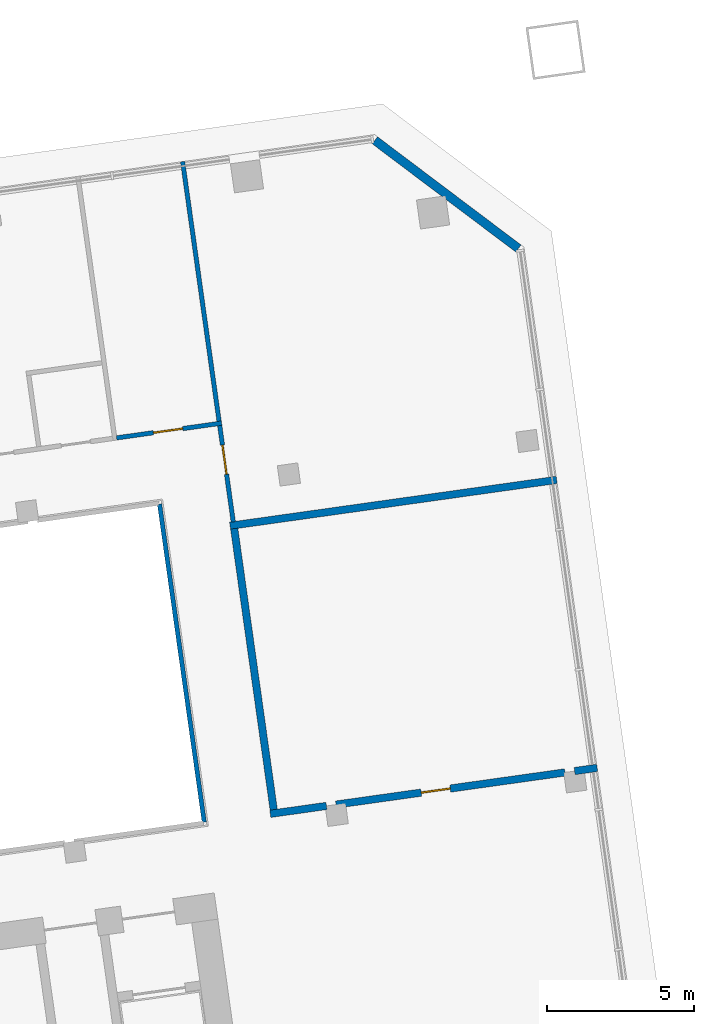
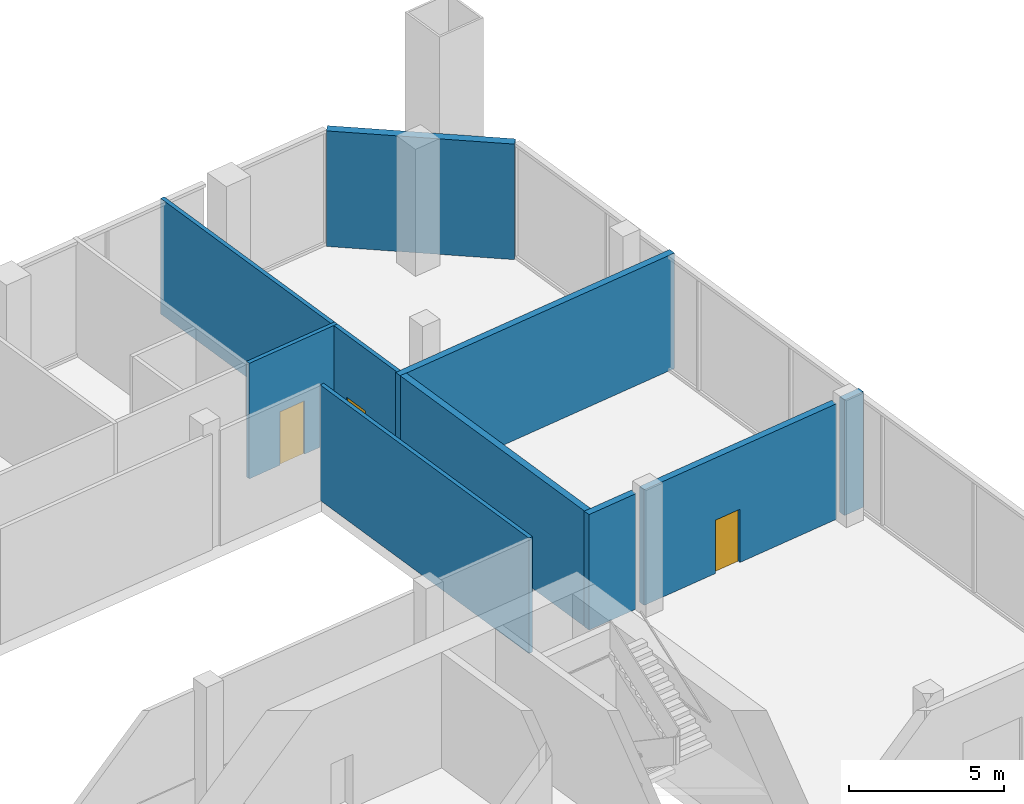
# One storey, part 18 of 21: 10 walls, 3 doors, 3 openings.
"""IFC4 building model written with IfcOpenShell, lengths in metres."""

import ifcopenshell
import ifcopenshell.guid

model = None  # the IFC model being written
_history = None  # IfcOwnerHistory: only IFC2X3 demands one
_inside = {}  # id of a spatial element -> (the spatial element, [elements in it])
_under = {}  # id of a project, library or spatial element -> (it, [spatial elements below it])
_declared = {}  # id of a project -> (the project, [libraries it declares])
_typed = {}  # id of a type object -> (the type object, [elements of that type])
_made_of = {}  # id of a material, layer set ... -> (it, [elements and type objects made of it])


def new_model(schema):
    """Start an empty IFC model of exactly this schema.

    Asked for "IFC4X3", IfcOpenShell would pick the latest addendum, in which some entities
    have other attributes; the version numbers below select the first issue.
    IFC2X3 requires an IfcOwnerHistory on every rooted entity: one is made here for all.
    """
    global model, _history
    if schema == "IFC4X3":
        model = ifcopenshell.file(schema_version=(4, 3, 0, 0))
    else:
        model = ifcopenshell.file(schema=schema)
    _inside.clear()
    _under.clear()
    _declared.clear()
    _typed.clear()
    _made_of.clear()
    _history = None
    if model.schema == "IFC2X3":
        org = make("IfcOrganization", Name="unknown")
        user = make(
            "IfcPersonAndOrganization",
            ThePerson=make("IfcPerson", FamilyName="unknown"),
            TheOrganization=org,
        )
        app = make(
            "IfcApplication",
            ApplicationDeveloper=org,
            Version="unknown",
            ApplicationFullName="unknown",
            ApplicationIdentifier="unknown",
        )
        _history = make(
            "IfcOwnerHistory",
            OwningUser=user,
            OwningApplication=app,
            ChangeAction="ADDED",
            CreationDate=0,
        )
    return model


def make(cls, **values):
    """One entity of the class cls with the attributes given. An attribute that is None is left unset."""
    return model.create_entity(
        cls, **{name: value for name, value in values.items() if value is not None}
    )


def rooted(cls, **values):
    """An entity with a GlobalId (a new one), such as an element, a storey or a relation."""
    return make(cls, GlobalId=ifcopenshell.guid.new(), OwnerHistory=_history, **values)


def si_unit(unit_type, name, prefix=None):
    """IfcSIUnit, for example si_unit("LENGTHUNIT", "METRE", prefix="MILLI")."""
    return make("IfcSIUnit", UnitType=unit_type, Prefix=prefix, Name=name)


def assignment(units):
    """IfcUnitAssignment: the units of a project."""
    return None if units is None else make("IfcUnitAssignment", Units=units)


def point(xyz):
    """IfcCartesianPoint."""
    return None if xyz is None else make("IfcCartesianPoint", Coordinates=xyz)


def direction(xyz):
    """IfcDirection."""
    return None if xyz is None else make("IfcDirection", DirectionRatios=xyz)


def frame(location, z_axis=None, x_axis=None):
    """IfcAxis2Placement3D, a coordinate frame: its origin and axes. An axis left out is left unset."""
    return make(
        "IfcAxis2Placement3D",
        Location=point(location),
        Axis=direction(z_axis),
        RefDirection=direction(x_axis),
    )


def frame_2d(location, x_axis=None):
    """IfcAxis2Placement2D, a coordinate frame in the plane: its origin and x axis."""
    return make(
        "IfcAxis2Placement2D", Location=point(location), RefDirection=direction(x_axis)
    )


def origin():
    """The frame at (0, 0, 0) with its axes left unset."""
    return frame((0.0, 0.0, 0.0))


def place(relative_to, where):
    """IfcLocalPlacement: puts the frame where relative to a parent placement (None: the world)."""
    return make(
        "IfcLocalPlacement", PlacementRelTo=relative_to, RelativePlacement=where
    )


def context(
    kind, dimensions, precision=None, world=None, true_north=None, identifier=None
):
    """IfcGeometricRepresentationContext, for example the 3D "Model" context."""
    return make(
        "IfcGeometricRepresentationContext",
        ContextIdentifier=identifier,
        ContextType=kind,
        CoordinateSpaceDimension=dimensions,
        Precision=precision,
        WorldCoordinateSystem=world,
        TrueNorth=true_north,
    )


def subcontext(parent, identifier, kind, view, scale=None):
    """IfcGeometricRepresentationSubContext, for example "Body" below "Model"."""
    return make(
        "IfcGeometricRepresentationSubContext",
        ContextIdentifier=identifier,
        ContextType=kind,
        ParentContext=parent,
        TargetScale=scale,
        TargetView=view,
    )


def project(units=None, contexts=None):
    """IfcProject with its units and contexts."""
    return rooted(
        "IfcProject",
        Name="project",
        RepresentationContexts=contexts,
        UnitsInContext=assignment(units),
    )


def spatial(cls, under=None, at=None, **own):
    """A site, building, storey or space (cls), placed at a placement, below another one or the project."""
    s = rooted(cls, ObjectPlacement=at, **own)
    if under is not None:
        _under.setdefault(under.id(), (under, []))[1].append(s)
    return s


def profile(cls, at=None, kind="AREA", **sizes):
    """A parametric profile (cls). Its sizes go by their IFC names, for example OverallWidth=200.0."""
    return make(cls, ProfileType=kind, Position=at, **sizes)


def rectangle(**sizes):
    """IfcRectangleProfileDef."""
    return profile("IfcRectangleProfileDef", **sizes)


def extrude(swept, where, along, depth):
    """IfcExtrudedAreaSolid: the profile swept, set in the frame where, extruded along a direction by depth."""
    return make(
        "IfcExtrudedAreaSolid",
        SweptArea=swept,
        Position=where,
        ExtrudedDirection=direction(along),
        Depth=depth,
    )


def shape(context_of_items, identifier, shape_type, items):
    """IfcShapeRepresentation: the items that make up one representation, for example the "Body"."""
    return make(
        "IfcShapeRepresentation",
        ContextOfItems=context_of_items,
        RepresentationIdentifier=identifier,
        RepresentationType=shape_type,
        Items=items,
    )


def material(Name=None, Category=None):
    """IfcMaterial."""
    return make("IfcMaterial", Name=Name, Category=Category)


def layer(
    of_material, thickness, ventilated=None, Name=None, Category=None, Priority=None
):
    """IfcMaterialLayer: one layer of a wall or slab, of a material (None: an air gap)."""
    return make(
        "IfcMaterialLayer",
        Material=of_material,
        LayerThickness=thickness,
        IsVentilated=ventilated,
        Name=Name,
        Category=Category,
        Priority=Priority,
    )


def layer_set(layers, Name=None):
    """IfcMaterialLayerSet."""
    return make("IfcMaterialLayerSet", MaterialLayers=layers, LayerSetName=Name)


def made_of(thing, what):
    """Note that an element or type object is made of a material, layer set ...; save() writes the relation."""
    if what is not None:
        _made_of.setdefault(what.id(), (what, []))[1].append(thing)
    return thing


def type_object(cls, material=None, **own):
    """A type object (cls), such as IfcWallType, which elements share."""
    return made_of(rooted(cls, **own), material)


def element(
    cls,
    number,
    at=None,
    inside=None,
    cuts=None,
    type_object=None,
    material=None,
    context=None,
    identifier="Body",
    shape_type=None,
    held_by="IfcProductDefinitionShape",
    body=None,
    shapes=None,
    **own,
):
    """One element of the class cls, such as IfcWall. Its Tag is "e" and its number.

    at: its placement. inside: the storey or other place that contains it. cuts: it is an
    opening in that element (IfcRelVoidsElement). A single representation is given by context,
    identifier, shape_type and body (its items); several are given by shapes. held_by: the class
    of the entity that holds the representations. save() writes the other relations.
    """
    e = rooted(cls, Tag="e%d" % number, ObjectPlacement=at, **own)
    if body is not None:
        shapes = [shape(context, identifier, shape_type, body)]
    if shapes is not None:
        e.Representation = make(held_by, Representations=shapes)
    if inside is not None:
        _inside.setdefault(inside.id(), (inside, []))[1].append(e)
    if cuts is not None:
        rooted(
            "IfcRelVoidsElement", RelatingBuildingElement=cuts, RelatedOpeningElement=e
        )
    if type_object is not None:
        _typed.setdefault(type_object.id(), (type_object, []))[1].append(e)
    return made_of(e, material)


def fill(opening, filler):
    """IfcRelFillsElement: the door or window that sits in an opening."""
    return rooted(
        "IfcRelFillsElement",
        RelatingOpeningElement=opening,
        RelatedBuildingElement=filler,
    )


def aggregate(whole, parts):
    """IfcRelAggregates: a whole, such as a stair, and the parts it consists of."""
    return rooted("IfcRelAggregates", RelatingObject=whole, RelatedObjects=parts)


def save(model, path):
    """Write the relations noted so far, then the file.

    IfcRelAggregates (storeys below a building ...), IfcRelContainedInSpatialStructure (elements
    in a storey), IfcRelDefinesByType, IfcRelAssociatesMaterial and IfcRelDeclares: one each for
    every whole, place, type object, material and project.
    """
    for whole, parts in _under.values():
        aggregate(whole, parts)
    for where, things in _inside.values():
        rooted(
            "IfcRelContainedInSpatialStructure",
            RelatedElements=things,
            RelatingStructure=where,
        )
    for kind, things in _typed.values():
        rooted("IfcRelDefinesByType", RelatedObjects=things, RelatingType=kind)
    for what, things in _made_of.values():
        rooted("IfcRelAssociatesMaterial", RelatedObjects=things, RelatingMaterial=what)
    for by, libraries in _declared.values():
        rooted("IfcRelDeclares", RelatingContext=by, RelatedDefinitions=libraries)
    model.write(path)


model = new_model("IFC4")

# Units and contexts
model_context = context("Model", 3, precision=1e-05, world=origin(), true_north=direction((0.0, 1.0)))
body_context = subcontext(model_context, "Body", "Model", "MODEL_VIEW")
ifc_project = project(units=[si_unit("LENGTHUNIT", "METRE"), si_unit("AREAUNIT", "SQUARE_METRE"), si_unit("VOLUMEUNIT", "CUBIC_METRE"), si_unit("PLANEANGLEUNIT", "RADIAN"), si_unit("MASSUNIT", "GRAM", prefix="KILO")], contexts=[model_context])

# Site, building, storey
site_placement = place(None, origin())
site = spatial("IfcSite", under=ifc_project, at=site_placement, CompositionType="ELEMENT")
building_placement = place(site_placement, origin())
building = spatial("IfcBuilding", under=site, at=building_placement, Name="Mirante Cascada Hotel Towers", CompositionType="ELEMENT")
storey_placement = place(building_placement, frame((0.0, 0.0, 34.5)))
storey = spatial("IfcBuildingStorey", under=building, at=storey_placement, Name="L05", CompositionType="ELEMENT", Elevation=34.5)

# Wall
ifc_material_1 = material(Name="Masonry block", Category="masonry")
ifc_layer_1 = layer(ifc_material_1, 0.15)
ifc_layer_set_1 = layer_set([ifc_layer_1], Name="Corridor wall 150 block")
wall_type_1 = type_object("IfcWallType", Name="Corridor wall 150 block", PredefinedType="PARTITIONING", material=ifc_layer_set_1)
wall_1_placement = place(storey_placement, frame((86.8771, 13.638, 0.0), z_axis=(0.0, 0.0, 1.0), x_axis=(0.1391764, -0.9902676, 0.0)))
element("IfcWall", 1, at=wall_1_placement, inside=storey, type_object=wall_type_1, Name="Corridor wall T2 L05", PredefinedType="PARTITIONING", context=body_context, shape_type="SweptSolid", body=[
    extrude(rectangle(XDim=10.9401, YDim=0.15, at=frame_2d((5.47, 0.0))), origin(), (0.0, 0.0, 1.0), 4.55),
])

# Wall, opening, door
wall_2_placement = place(storey_placement, frame((88.926, 16.3041, 0.0), z_axis=(0.0, 0.0, 1.0), x_axis=(0.1391835, -0.9902666, 0.0)))
wall_2 = element("IfcWall", 2, at=wall_2_placement, inside=storey, type_object=wall_type_1, Name="Corridor wall T2 L05", PredefinedType="PARTITIONING", context=body_context, shape_type="SweptSolid", body=[
    extrude(rectangle(XDim=3.31, YDim=0.15, at=frame_2d((1.655, 0.0))), origin(), (0.0, 0.0, 1.0), 4.55),
])
opening_1_placement = place(wall_2_placement, frame((0.6675, 0.0, 0.0)))
opening_1 = element("IfcOpeningElement", 3, at=opening_1_placement, cuts=wall_2, Name="Opening DP2-L05-04", PredefinedType="OPENING", context=body_context, shape_type="SweptSolid", body=[
    extrude(rectangle(XDim=1.0, YDim=2.1, at=frame_2d((0.5, 1.05))), frame((0.0, 0.075, 0.0), z_axis=(0.0, -1.0, 0.0), x_axis=(1.0, 0.0, 0.0)), (0.0, 0.0, 1.0), 0.15),
])
ifc_material_2 = material(Name="Timber door leaf", Category="wood")
door_type_1 = type_object("IfcDoorType", Name="Single door 1000x2100", OperationType="NOTDEFINED", PredefinedType="DOOR", material=ifc_material_2)
door_1_placement = place(opening_1_placement, origin())
door_1 = element("IfcDoor", 4, at=door_1_placement, inside=storey, type_object=door_type_1, Name="Door DP2-L05-04", OperationType="SINGLE_SWING_RIGHT", OverallHeight=2.1, OverallWidth=1.0, PredefinedType="DOOR", context=body_context, shape_type="SweptSolid", body=[
    extrude(rectangle(XDim=1.0, YDim=2.1, at=frame_2d((0.5, 1.05))), frame((0.0, 0.025, 0.0), z_axis=(0.0, -1.0, 0.0), x_axis=(1.0, 0.0, 0.0)), (0.0, 0.0, 1.0), 0.05),
])
fill(opening_1, door_1)

wall_3_placement = place(storey_placement, frame((85.415, 15.8863, 0.0), z_axis=(0.0, 0.0, 1.0), x_axis=(0.990265, 0.139195, 0.0)))
wall_3 = element("IfcWall", 5, at=wall_3_placement, inside=storey, type_object=wall_type_1, Name="Corridor wall T2 L05", PredefinedType="PARTITIONING", context=body_context, shape_type="SweptSolid", body=[
    extrude(rectangle(XDim=3.61, YDim=0.15, at=frame_2d((1.805, 0.0))), origin(), (0.0, 0.0, 1.0), 4.55),
])
opening_2_placement = place(wall_3_placement, frame((1.2675, 0.0, 0.0)))
opening_2 = element("IfcOpeningElement", 6, at=opening_2_placement, cuts=wall_3, Name="Opening DP2-L05-11", PredefinedType="OPENING", context=body_context, shape_type="SweptSolid", body=[
    extrude(rectangle(XDim=1.0, YDim=2.1, at=frame_2d((0.5, 1.05))), frame((0.0, 0.075, 0.0), z_axis=(0.0, -1.0, 0.0), x_axis=(1.0, 0.0, 0.0)), (0.0, 0.0, 1.0), 0.15),
])
door_2_placement = place(opening_2_placement, origin())
door_2 = element("IfcDoor", 7, at=door_2_placement, inside=storey, type_object=door_type_1, Name="Door DP2-L05-11", OperationType="SINGLE_SWING_LEFT", OverallHeight=2.1, OverallWidth=1.0, PredefinedType="DOOR", context=body_context, shape_type="SweptSolid", body=[
    extrude(rectangle(XDim=1.0, YDim=2.1, at=frame_2d((0.5, 1.05))), frame((0.0, 0.025, 0.0), z_axis=(0.0, -1.0, 0.0), x_axis=(1.0, 0.0, 0.0)), (0.0, 0.0, 1.0), 0.05),
])
fill(opening_2, door_2)

# Walls
ifc_material_3 = material(Name="Masonry block", Category="masonry")
ifc_layer_2 = layer(ifc_material_3, 0.15)
ifc_layer_set_2 = layer_set([ifc_layer_2], Name="Partition 150 block")
wall_type_2 = type_object("IfcWallType", Name="Partition 150 block", PredefinedType="PARTITIONING", material=ifc_layer_set_2)
wall_4_placement = place(storey_placement, frame((87.663, 25.2907, 0.0), z_axis=(0.0, 0.0, 1.0), x_axis=(0.1391725, -0.9902682, 0.0)))
element("IfcWall", 8, at=wall_4_placement, inside=storey, type_object=wall_type_2, Name="Partition T2 L05", PredefinedType="PARTITIONING", context=body_context, shape_type="SweptSolid", body=[
    extrude(rectangle(XDim=8.935, YDim=0.15, at=frame_2d((4.4675, 0.0))), origin(), (0.0, 0.0, 1.0), 4.55),
])
ifc_material_4 = material(Name="Masonry block", Category="masonry")
ifc_layer_3 = layer(ifc_material_4, 0.25)
ifc_layer_set_3 = layer_set([ifc_layer_3], Name="Plant room wall 250 block EI 120")
wall_type_3 = type_object("IfcWallType", Name="Plant room wall 250 block EI 120", PredefinedType="PARTITIONING", material=ifc_layer_set_3)
wall_5_placement = place(storey_placement, frame((89.4187, 12.7985, 0.0), z_axis=(0.0, 0.0, 1.0), x_axis=(0.1391717, -0.9902683, 0.0)))
element("IfcWall", 9, at=wall_5_placement, inside=storey, type_object=wall_type_3, Name="Plant room wall T2 L05", PredefinedType="PARTITIONING", context=body_context, shape_type="SweptSolid", body=[
    extrude(rectangle(XDim=9.66, YDim=0.25, at=frame_2d((4.83, 0.0))), origin(), (0.0, 0.0, 1.0), 4.55),
])
wall_6_placement = place(storey_placement, frame((90.6468, 3.0899, 0.0), z_axis=(0.0, 0.0, 1.0), x_axis=(0.9902691, 0.139166, 0.0)))
element("IfcWall", 10, at=wall_6_placement, inside=storey, type_object=wall_type_3, Name="Plant room wall T2 L05", PredefinedType="PARTITIONING", context=body_context, shape_type="SweptSolid", body=[
    extrude(rectangle(XDim=1.9308, YDim=0.25, at=frame_2d((0.9654, 0.0))), origin(), (0.0, 0.0, 1.0), 4.55),
])
wall_7_placement = place(storey_placement, frame((89.2789, 12.895, 0.0), z_axis=(0.0, 0.0, 1.0), x_axis=(0.9902684, 0.139171, 0.0)))
element("IfcWall", 11, at=wall_7_placement, inside=storey, type_object=wall_type_3, Name="Plant room wall T2 L05", PredefinedType="PARTITIONING", context=body_context, shape_type="SweptSolid", body=[
    extrude(rectangle(XDim=11.225, YDim=0.25, at=frame_2d((5.6125, 0.0))), origin(), (0.0, 0.0, 1.0), 4.55),
])

# Wall, opening, door
wall_8_placement = place(storey_placement, frame((92.8845, 3.4044, 0.0), z_axis=(0.0, 0.0, 1.0), x_axis=(0.9902671, 0.1391799, 0.0)))
wall_8 = element("IfcWall", 12, at=wall_8_placement, inside=storey, type_object=wall_type_3, Name="Plant room wall T2 L05", PredefinedType="PARTITIONING", context=body_context, shape_type="SweptSolid", body=[
    extrude(rectangle(XDim=7.8711, YDim=0.25, at=frame_2d((3.9356, 0.0))), origin(), (0.0, 0.0, 1.0), 4.55),
])
opening_3_placement = place(wall_8_placement, frame((2.9253, 0.0, 0.0)))
opening_3 = element("IfcOpeningElement", 13, at=opening_3_placement, cuts=wall_8, Name="Opening DP2-L05-03", PredefinedType="OPENING", context=body_context, shape_type="SweptSolid", body=[
    extrude(rectangle(XDim=1.0, YDim=2.1, at=frame_2d((0.5, 1.05))), frame((0.0, 0.125, 0.0), z_axis=(0.0, -1.0, 0.0), x_axis=(1.0, 0.0, 0.0)), (0.0, 0.0, 1.0), 0.25),
])
ifc_material_5 = material(Name="Hollow metal fire door leaf")
door_type_2 = type_object("IfcDoorType", Name="Fire door 1000x2100 FD60", OperationType="NOTDEFINED", PredefinedType="DOOR", material=ifc_material_5)
door_3_placement = place(opening_3_placement, origin())
door_3 = element("IfcDoor", 14, at=door_3_placement, inside=storey, type_object=door_type_2, Name="Door DP2-L05-03", OperationType="SINGLE_SWING_LEFT", OverallHeight=2.1, OverallWidth=1.0, PredefinedType="DOOR", context=body_context, shape_type="SweptSolid", body=[
    extrude(rectangle(XDim=1.0, YDim=2.1, at=frame_2d((0.5, 1.05))), frame((0.0, 0.025, 0.0), z_axis=(0.0, -1.0, 0.0), x_axis=(1.0, 0.0, 0.0)), (0.0, 0.0, 1.0), 0.05),
])
fill(opening_3, door_3)

# Walls
wall_9_placement = place(storey_placement, frame((101.0045, 4.5456, 0.0), z_axis=(0.0, 0.0, 1.0), x_axis=(0.9902566, 0.1392548, 0.0)))
element("IfcWall", 15, at=wall_9_placement, inside=storey, type_object=wall_type_3, Name="Plant room wall T2 L05", PredefinedType="PARTITIONING", context=body_context, shape_type="SweptSolid", body=[
    extrude(rectangle(XDim=0.7756, YDim=0.25, at=frame_2d((0.3878, 0.0))), origin(), (0.0, 0.0, 1.0), 4.55),
])
ifc_material_6 = material(Name="Precast concrete C40/50", Category="concrete")
ifc_layer_4 = layer(ifc_material_6, 0.3)
ifc_layer_set_4 = layer_set([ifc_layer_4], Name="Precast concrete C40/50 cladding wall 300")
wall_type_4 = type_object("IfcWallType", Name="Precast concrete C40/50 cladding wall 300", PredefinedType="STANDARD", material=ifc_layer_set_4)
wall_10_placement = place(storey_placement, frame((99.0919, 22.3343, 0.0), z_axis=(0.0, 0.0, 1.0), x_axis=(-0.7986362, 0.6018141, 0.0)))
element("IfcWall", 16, at=wall_10_placement, inside=storey, type_object=wall_type_4, Name="Corner cladding wall T2 L05 outer front", PredefinedType="STANDARD", context=body_context, shape_type="SweptSolid", body=[
    extrude(rectangle(XDim=6.1157, YDim=0.3, at=frame_2d((3.0578, 0.0))), origin(), (0.0, 0.0, 1.0), 4.55),
])

save(model, "model.ifc")
